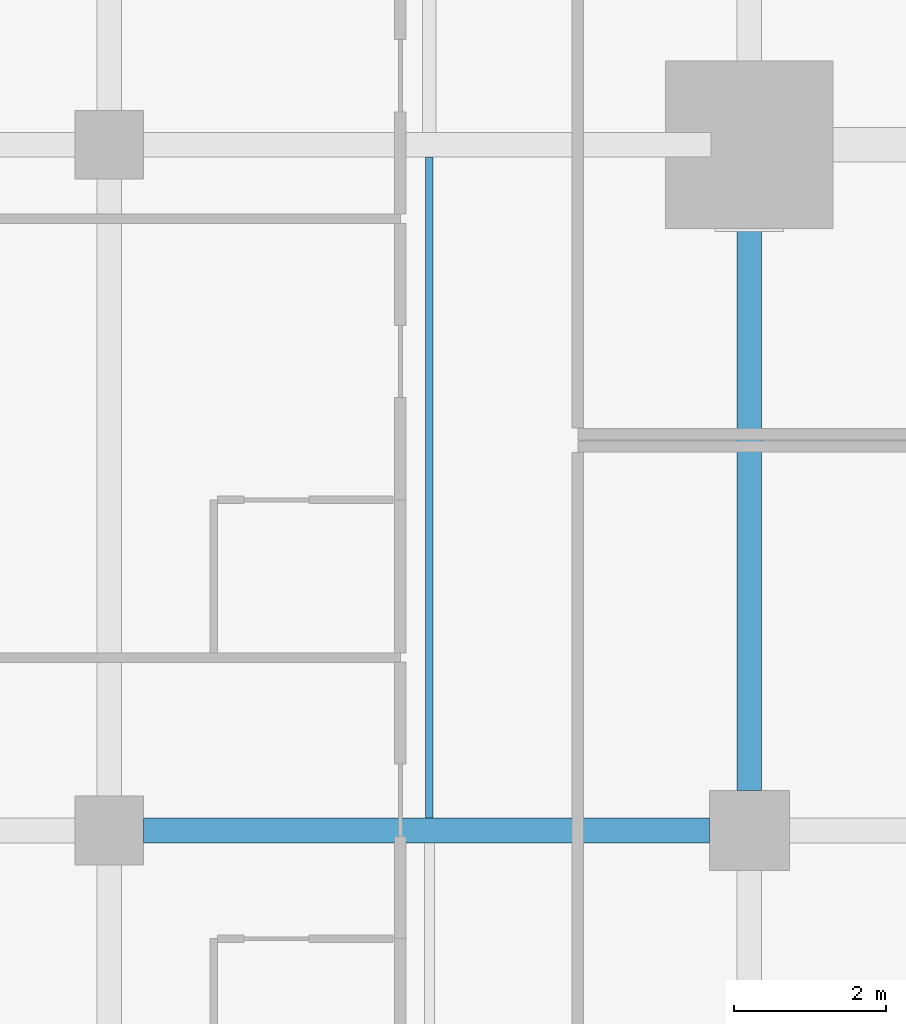
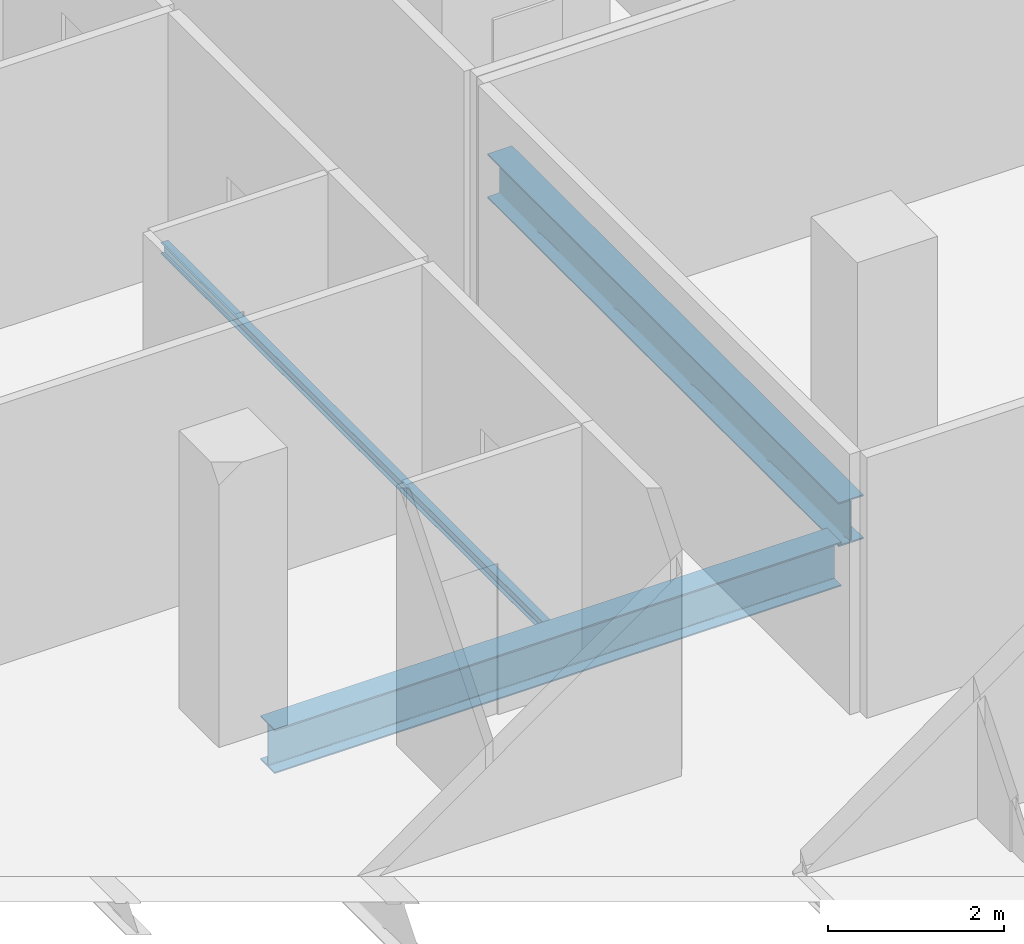
# One storey, part 11 of 40: 3 beams.
"""IFC4 building model written with IfcOpenShell, lengths in metres."""

from ifc_helpers import new_model, si_unit, direction, frame, origin, origin_2d, place, context, subcontext, project, spatial, i_section, extrude, material, material_profile, profile_set, type_object, element, save


model = new_model("IFC4")

# Units and contexts
model_context = context("Model", 3, precision=1e-05, world=origin(), true_north=direction((0.0, 1.0)))
body_context = subcontext(model_context, "Body", "Model", "MODEL_VIEW")
ifc_project = project(units=[si_unit("LENGTHUNIT", "METRE"), si_unit("AREAUNIT", "SQUARE_METRE"), si_unit("VOLUMEUNIT", "CUBIC_METRE"), si_unit("PLANEANGLEUNIT", "RADIAN"), si_unit("MASSUNIT", "GRAM", prefix="KILO")], contexts=[model_context])

# Site, building, storey
site_placement = place(None, origin())
site = spatial("IfcSite", under=ifc_project, at=site_placement, CompositionType="ELEMENT")
building_placement = place(site_placement, origin())
building = spatial("IfcBuilding", under=site, at=building_placement, Name="Maruvema Waterfront Hotel and Observation Tower", CompositionType="ELEMENT")
storey_placement = place(building_placement, frame((0.0, 0.0, 92.39990234375)))
storey = spatial("IfcBuildingStorey", under=building, at=storey_placement, Name="L22", CompositionType="ELEMENT", Elevation=92.39990234375)

# Beams
ifc_material_1 = material(Name="Steel ASTM A572 Grade 50", Category="steel")
ifc_material_profile_1 = material_profile(ifc_material_1, i_section(OverallWidth=0.323974609375, OverallDepth=0.611083984375, WebThickness=0.0126953125, FlangeThickness=0.01904296875, FilletRadius=0.01806640625, at=origin_2d()), Name="W610x155.0")
ifc_profile_set_1 = profile_set([ifc_material_profile_1], Name="Steel ASTM A572 Grade 50")
beam_type_1 = type_object("IfcBeamType", Name="Primary Floor Girder W610x155.0", PredefinedType="BEAM", material=ifc_profile_set_1)
beam_1_placement = place(storey_placement, frame((17.25, 18.0, -0.54541015625), z_axis=(1.0, 0.0, 0.0), x_axis=(0.0, 1.0, 0.0)))
element("IfcBeam", 1, at=beam_1_placement, inside=storey, type_object=beam_type_1, Name="L22 Floor Girder EW-14", PredefinedType="BEAM", context=body_context, shape_type="SweptSolid", body=[
    extrude(i_section(OverallWidth=0.323974609375, OverallDepth=0.611083984375, WebThickness=0.0126953125, FlangeThickness=0.01904296875, FilletRadius=0.01806640625, at=origin_2d()), origin(), (0.0, 0.0, 1.0), 7.425048828125),
])
beam_2_placement = place(storey_placement, frame((25.199951171875, 18.52490234375, -0.54541015625), z_axis=(0.0, 1.0, 0.0), x_axis=(-1.0, 0.0, 0.0)))
element("IfcBeam", 2, at=beam_2_placement, inside=storey, type_object=beam_type_1, Name="L22 Floor Girder NS-13", PredefinedType="BEAM", context=body_context, shape_type="SweptSolid", body=[
    extrude(i_section(OverallWidth=0.323974609375, OverallDepth=0.611083984375, WebThickness=0.0126953125, FlangeThickness=0.01904296875, FilletRadius=0.01806640625, at=origin_2d()), origin(), (0.0, 0.0, 1.0), 7.97509765625),
])
ifc_material_2 = material(Name="Steel ASTM A572 Grade 50", Category="steel")
ifc_material_profile_2 = material_profile(ifc_material_2, i_section(OverallWidth=0.10009765625, OverallDepth=0.153076171875, WebThickness=0.005859375, FlangeThickness=0.007080078125, FilletRadius=0.008056640625, at=origin_2d()), Name="W150x18.0")
ifc_profile_set_2 = profile_set([ifc_material_profile_2], Name="Steel ASTM A572 Grade 50")
beam_type_2 = type_object("IfcBeamType", Name="Secondary Floor Joist W150x18.0", PredefinedType="JOIST", material=ifc_profile_set_2)
beam_3_placement = place(storey_placement, frame((21.0, 18.162109375, -0.31640625), z_axis=(0.0, 1.0, 0.0), x_axis=(-1.0, 0.0, 0.0)))
element("IfcBeam", 3, at=beam_3_placement, inside=storey, type_object=beam_type_2, Name="L22 Secondary Floor Joist JS-07", PredefinedType="JOIST", context=body_context, shape_type="SweptSolid", body=[
    extrude(i_section(OverallWidth=0.10009765625, OverallDepth=0.153076171875, WebThickness=0.005859375, FlangeThickness=0.007080078125, FilletRadius=0.008056640625, at=origin_2d()), origin(), (0.0, 0.0, 1.0), 8.67578125),
])

save(model, "model.ifc")
